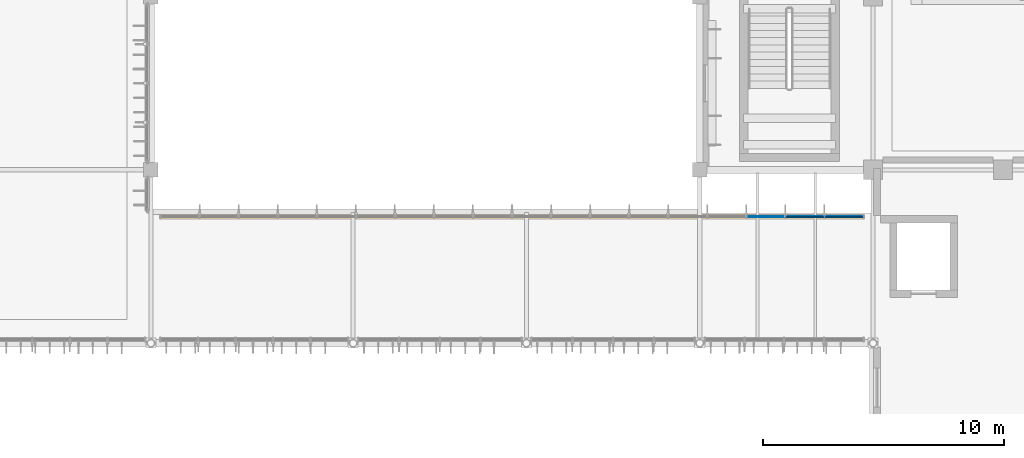
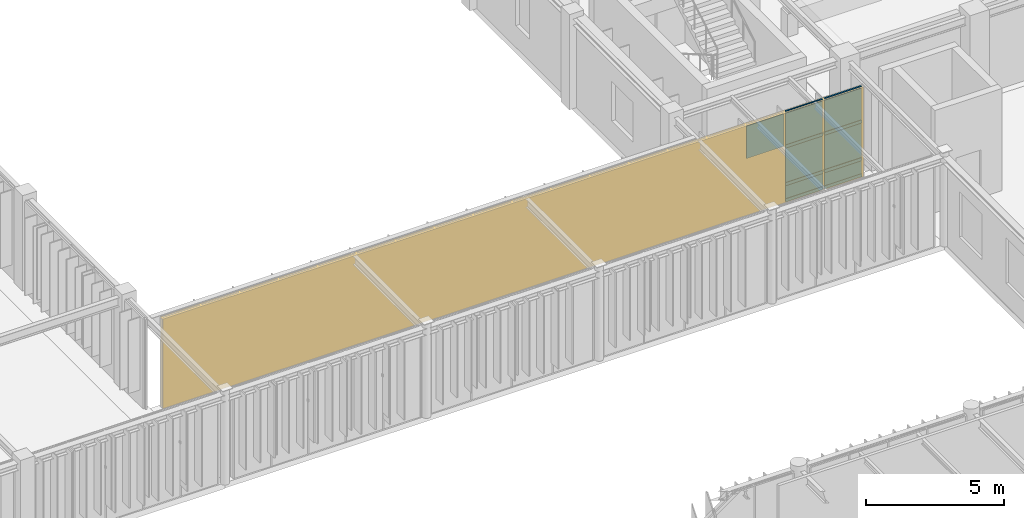
# One storey, part 75 of 104: 8 members, 7 plates, plus 1 element that does not belong to this part.
"""IFC4 building model written with IfcOpenShell, lengths in metres."""

from ifc_helpers import new_model, si_unit, direction, frame, frame_2d, origin, origin_2d, place, context, subcontext, project, spatial, rectangle, extrude, material, layer, layer_set, material_profile, profile_set, type_object, element, aggregate, save


model = new_model("IFC4")

# Units and contexts
model_context = context("Model", 3, precision=1e-05, world=origin(), true_north=direction((0.0, 1.0)))
body_context = subcontext(model_context, "Body", "Model", "MODEL_VIEW")
ifc_project = project(units=[si_unit("LENGTHUNIT", "METRE"), si_unit("AREAUNIT", "SQUARE_METRE"), si_unit("VOLUMEUNIT", "CUBIC_METRE"), si_unit("PLANEANGLEUNIT", "RADIAN"), si_unit("MASSUNIT", "GRAM", prefix="KILO")], contexts=[model_context])

# Member
ifc_material_1 = material(Name="Anodised Bronze Aluminium 6063-T6", Category="aluminium")
ifc_material_profile = material_profile(ifc_material_1, rectangle(XDim=0.06005859375, YDim=0.139892578125, at=origin_2d()), Name="ALU TRANSOM 60x140")
ifc_profile_set = profile_set([ifc_material_profile], Name="Anodised Bronze Aluminium 6063-T6")
member_type = type_object("IfcMemberType", Name="Curtain-Wall Transom 60x140", PredefinedType="USERDEFINED", material=ifc_profile_set)
site_placement = place(None, origin())
building_placement = place(site_placement, origin())
storey_placement = place(building_placement, frame((0.0, 0.0, 9.0)))
member_1_placement = place(storey_placement, frame((53.990478515625, 49.85009765625, 0.0400390625), z_axis=(1.0, 0.0, 0.0), x_axis=(0.0, 1.0, 0.0)))
member_1 = element("IfcMember", 1, at=member_1_placement, type_object=member_type, Name="Transom CWT-01 CW-WLNK-N-L02-T17.1", ObjectType="TRANSOM", PredefinedType="USERDEFINED", context=body_context, shape_type="SweptSolid", body=[
    extrude(rectangle(XDim=0.06005859375, YDim=0.139892578125, at=origin_2d()), origin(), (0.0, 0.0, 1.0), 1.55224609375),
])

member_2_placement = place(storey_placement, frame((53.990478515625, 49.85009765625, 0.75), z_axis=(1.0, 0.0, 0.0), x_axis=(0.0, 1.0, 0.0)))
member_2 = element("IfcMember", 2, at=member_2_placement, type_object=member_type, Name="Transom CWT-01 CW-WLNK-N-L02-T17.2", ObjectType="TRANSOM", PredefinedType="USERDEFINED", context=body_context, shape_type="SweptSolid", body=[
    extrude(rectangle(XDim=0.06005859375, YDim=0.139892578125, at=origin_2d()), origin(), (0.0, 0.0, 1.0), 1.55224609375),
])

member_3_placement = place(storey_placement, frame((53.990478515625, 49.85009765625, 2.40869140625), z_axis=(1.0, 0.0, 0.0), x_axis=(0.0, 1.0, 0.0)))
member_3 = element("IfcMember", 3, at=member_3_placement, type_object=member_type, Name="Transom CWT-01 CW-WLNK-N-L02-T17.3", ObjectType="TRANSOM", PredefinedType="USERDEFINED", context=body_context, shape_type="SweptSolid", body=[
    extrude(rectangle(XDim=0.06005859375, YDim=0.139892578125, at=origin_2d()), origin(), (0.0, 0.0, 1.0), 1.55224609375),
])

member_4_placement = place(storey_placement, frame((53.990478515625, 49.85009765625, 3.89990234375), z_axis=(1.0, 0.0, 0.0), x_axis=(0.0, 1.0, 0.0)))
member_4 = element("IfcMember", 4, at=member_4_placement, type_object=member_type, Name="Transom CWT-01 CW-WLNK-N-L02-T17.4", ObjectType="TRANSOM", PredefinedType="USERDEFINED", context=body_context, shape_type="SweptSolid", body=[
    extrude(rectangle(XDim=0.06005859375, YDim=0.139892578125, at=origin_2d()), origin(), (0.0, 0.0, 1.0), 1.55224609375),
])

member_5_placement = place(storey_placement, frame((55.61279296875, 49.85009765625, 0.0400390625), z_axis=(1.0, 0.0, 0.0), x_axis=(0.0, 1.0, 0.0)))
member_5 = element("IfcMember", 5, at=member_5_placement, type_object=member_type, Name="Transom CWT-01 CW-WLNK-N-L02-T18.1", ObjectType="TRANSOM", PredefinedType="USERDEFINED", context=body_context, shape_type="SweptSolid", body=[
    extrude(rectangle(XDim=0.06005859375, YDim=0.139892578125, at=origin_2d()), origin(), (0.0, 0.0, 1.0), 1.55224609375),
])

member_6_placement = place(storey_placement, frame((55.61279296875, 49.85009765625, 0.75), z_axis=(1.0, 0.0, 0.0), x_axis=(0.0, 1.0, 0.0)))
member_6 = element("IfcMember", 6, at=member_6_placement, type_object=member_type, Name="Transom CWT-01 CW-WLNK-N-L02-T18.2", ObjectType="TRANSOM", PredefinedType="USERDEFINED", context=body_context, shape_type="SweptSolid", body=[
    extrude(rectangle(XDim=0.06005859375, YDim=0.139892578125, at=origin_2d()), origin(), (0.0, 0.0, 1.0), 1.55224609375),
])

member_7_placement = place(storey_placement, frame((55.61279296875, 49.85009765625, 2.40869140625), z_axis=(1.0, 0.0, 0.0), x_axis=(0.0, 1.0, 0.0)))
member_7 = element("IfcMember", 7, at=member_7_placement, type_object=member_type, Name="Transom CWT-01 CW-WLNK-N-L02-T18.3", ObjectType="TRANSOM", PredefinedType="USERDEFINED", context=body_context, shape_type="SweptSolid", body=[
    extrude(rectangle(XDim=0.06005859375, YDim=0.139892578125, at=origin_2d()), origin(), (0.0, 0.0, 1.0), 1.55224609375),
])

member_8_placement = place(storey_placement, frame((55.61279296875, 49.85009765625, 3.89990234375), z_axis=(1.0, 0.0, 0.0), x_axis=(0.0, 1.0, 0.0)))
member_8 = element("IfcMember", 8, at=member_8_placement, type_object=member_type, Name="Transom CWT-01 CW-WLNK-N-L02-T18.4", ObjectType="TRANSOM", PredefinedType="USERDEFINED", context=body_context, shape_type="SweptSolid", body=[
    extrude(rectangle(XDim=0.06005859375, YDim=0.139892578125, at=origin_2d()), origin(), (0.0, 0.0, 1.0), 1.55224609375),
])

# Plate
ifc_material_2 = material(Name="Insulated Bronze Aluminium Spandrel Panel", Category="aluminium")
ifc_layer_1 = layer(ifc_material_2, 0.050048828125, Name="Insulated Bronze Aluminium Spandrel Panel")
ifc_layer_set_1 = layer_set([ifc_layer_1], Name="Insulated Bronze Aluminium Spandrel Panel")
plate_type_1 = type_object("IfcPlateType", Name="Insulated Anodised Aluminium Spandrel Cassette 50", PredefinedType="CURTAIN_PANEL", material=ifc_layer_set_1)
plate_1_placement = place(storey_placement, frame((54.7666015625, 49.85009765625, 0.070068359375), z_axis=(0.0, 0.0, 1.0), x_axis=(1.0, 0.0, 0.0)))
plate_1 = element("IfcPlate", 9, at=plate_1_placement, type_object=plate_type_1, Name="Curtain Panel CWP-03 CW-WLNK-N-L02-P17.1", PredefinedType="CURTAIN_PANEL", context=body_context, shape_type="SweptSolid", body=[
    extrude(rectangle(XDim=1.55224609375, YDim=0.050048828125, at=origin_2d()), origin(), (0.0, 0.0, 1.0), 0.64990234375),
])

plate_2_placement = place(storey_placement, frame((56.388916015625, 49.85009765625, 0.070068359375), z_axis=(0.0, 0.0, 1.0), x_axis=(1.0, 0.0, 0.0)))
plate_2 = element("IfcPlate", 10, at=plate_2_placement, type_object=plate_type_1, Name="Curtain Panel CWP-03 CW-WLNK-N-L02-P18.1", PredefinedType="CURTAIN_PANEL", context=body_context, shape_type="SweptSolid", body=[
    extrude(rectangle(XDim=1.55224609375, YDim=0.050048828125, at=origin_2d()), origin(), (0.0, 0.0, 1.0), 0.64990234375),
])

ifc_material_3 = material(Name="Solar-Control Tempered Double Glazing", Category="glass")
ifc_layer_2 = layer(ifc_material_3, 0.0380859375, Name="Solar-Control Tempered Double Glazing")
ifc_layer_set_2 = layer_set([ifc_layer_2], Name="Solar-Control Tempered Double Glazing")
plate_type_2 = type_object("IfcPlateType", Name="Solar-Control Vision Glazing Unit 38", PredefinedType="CURTAIN_PANEL", material=ifc_layer_set_2)
plate_3_placement = place(storey_placement, frame((53.144287109375, 49.85009765625, 2.438720703125), z_axis=(0.0, 0.0, 1.0), x_axis=(1.0, 0.0, 0.0)))
plate_3 = element("IfcPlate", 11, at=plate_3_placement, type_object=plate_type_2, Name="Curtain Panel CWP-02 CW-WLNK-N-L02-P16.3", PredefinedType="CURTAIN_PANEL", context=body_context, shape_type="SweptSolid", body=[
    extrude(rectangle(XDim=1.55224609375, YDim=0.0380859375, at=origin_2d()), origin(), (0.0, 0.0, 1.0), 1.43115234375),
])

plate_4_placement = place(storey_placement, frame((54.7666015625, 49.85009765625, 0.77978515625), z_axis=(0.0, 0.0, 1.0), x_axis=(1.0, 0.0, 0.0)))
plate_4 = element("IfcPlate", 12, at=plate_4_placement, type_object=plate_type_2, Name="Curtain Panel CWP-02 CW-WLNK-N-L02-P17.2", PredefinedType="CURTAIN_PANEL", context=body_context, shape_type="SweptSolid", body=[
    extrude(rectangle(XDim=1.55224609375, YDim=0.0380859375, at=origin_2d()), origin(), (0.0, 0.0, 1.0), 1.598876953125),
])

plate_5_placement = place(storey_placement, frame((54.7666015625, 49.85009765625, 2.438720703125), z_axis=(0.0, 0.0, 1.0), x_axis=(1.0, 0.0, 0.0)))
plate_5 = element("IfcPlate", 13, at=plate_5_placement, type_object=plate_type_2, Name="Curtain Panel CWP-02 CW-WLNK-N-L02-P17.3", PredefinedType="CURTAIN_PANEL", context=body_context, shape_type="SweptSolid", body=[
    extrude(rectangle(XDim=1.55224609375, YDim=0.0380859375, at=origin_2d()), origin(), (0.0, 0.0, 1.0), 1.43115234375),
])

plate_6_placement = place(storey_placement, frame((56.388916015625, 49.85009765625, 0.77978515625), z_axis=(0.0, 0.0, 1.0), x_axis=(1.0, 0.0, 0.0)))
plate_6 = element("IfcPlate", 14, at=plate_6_placement, type_object=plate_type_2, Name="Curtain Panel CWP-02 CW-WLNK-N-L02-P18.2", PredefinedType="CURTAIN_PANEL", context=body_context, shape_type="SweptSolid", body=[
    extrude(rectangle(XDim=1.55224609375, YDim=0.0380859375, at=origin_2d()), origin(), (0.0, 0.0, 1.0), 1.598876953125),
])

plate_7_placement = place(storey_placement, frame((56.388916015625, 49.85009765625, 2.438720703125), z_axis=(0.0, 0.0, 1.0), x_axis=(1.0, 0.0, 0.0)))
plate_7 = element("IfcPlate", 15, at=plate_7_placement, type_object=plate_type_2, Name="Curtain Panel CWP-02 CW-WLNK-N-L02-P18.3", PredefinedType="CURTAIN_PANEL", context=body_context, shape_type="SweptSolid", body=[
    extrude(rectangle(XDim=1.55224609375, YDim=0.0380859375, at=origin_2d()), origin(), (0.0, 0.0, 1.0), 1.43115234375),
])

# Site, building, storey
site = spatial("IfcSite", under=ifc_project, at=site_placement, CompositionType="ELEMENT")
building = spatial("IfcBuilding", under=site, at=building_placement, Name="Tazoul Stagehouse", CompositionType="ELEMENT")
storey = spatial("IfcBuildingStorey", under=building, at=storey_placement, Name="L02", CompositionType="ELEMENT", Elevation=9.0)

# Curtain wall
curtain_wall_type = type_object("IfcCurtainWallType", Name="Atrium Clerestory Glazed Wall", PredefinedType="NOTDEFINED", material=ifc_material_1)
curtain_wall_placement = place(storey_placement, frame((28.0, 49.85009765625, 0.0), z_axis=(0.0, 0.0, 1.0), x_axis=(1.0, 0.0, 0.0)))
curtain_wall = element("IfcCurtainWall", 16, at=curtain_wall_placement, inside=storey, type_object=curtain_wall_type, Name="L02 Curtain Wall CW-05 (CW-WLNK-N-L02)", PredefinedType="NOTDEFINED", context=body_context, shape_type="SweptSolid", body=[
    extrude(rectangle(XDim=29.199951171875, YDim=0.179931640625, at=frame_2d((14.60009765625, 0.0))), origin(), (0.0, 0.0, 1.0), 3.93994140625),
])

aggregate(curtain_wall, [plate_3, member_1, member_2, member_3, member_4, plate_1, plate_4, plate_5, member_5, member_6, member_7, member_8, plate_2, plate_6, plate_7])

save(model, "model.ifc")
